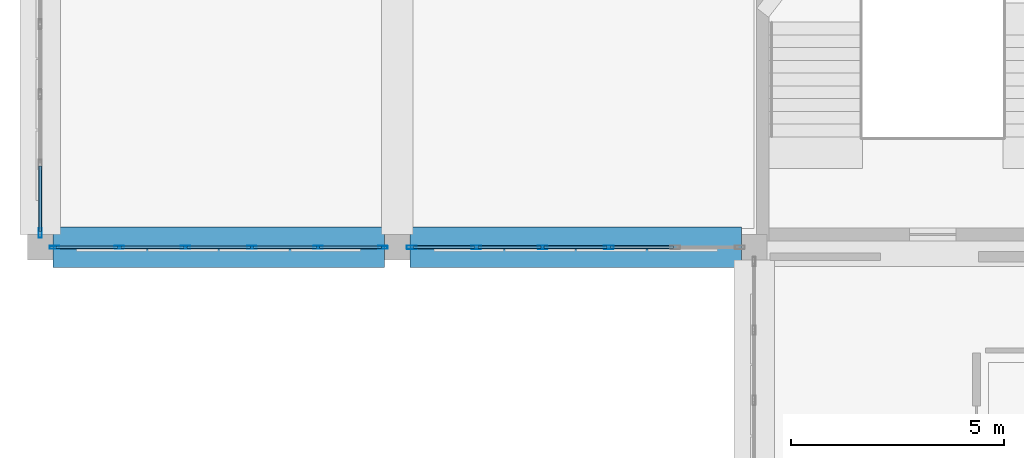
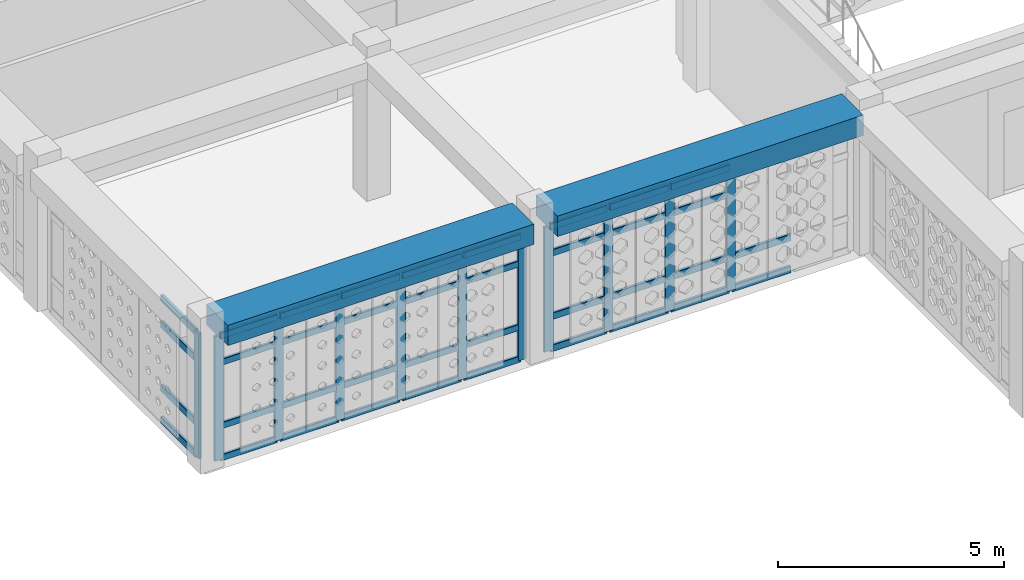
# One storey, part 2 of 48: 49 members, 2 beams, 3 elements without a shape of their own.
"""IFC4 building model written with IfcOpenShell, lengths in metres."""

from ifc_helpers import new_model, si_unit, derived_unit, direction, frame, origin, origin_2d, place, context, subcontext, project, spatial, rectangle, hollow_rectangle, extrude, material, material_profile, profile_set, type_object, element, aggregate, save


model = new_model("IFC4")

# Units and contexts
model_context = context("Model", 3, precision=1e-05, world=origin(), true_north=direction((0.0, 1.0)))
body_context = subcontext(model_context, "Body", "Model", "MODEL_VIEW")
ifc_project = project(units=[si_unit("LENGTHUNIT", "METRE"), si_unit("AREAUNIT", "SQUARE_METRE"), si_unit("VOLUMEUNIT", "CUBIC_METRE"), si_unit("PLANEANGLEUNIT", "RADIAN"), si_unit("MASSUNIT", "GRAM", prefix="KILO"), derived_unit("THERMALTRANSMITTANCEUNIT", [(si_unit("POWERUNIT", "WATT"), 1), (si_unit("LENGTHUNIT", "METRE"), -2), (si_unit("THERMODYNAMICTEMPERATUREUNIT", "KELVIN"), -1)])], contexts=[model_context])

# Site, building, storey
site_placement = place(None, origin())
site = spatial("IfcSite", under=ifc_project, at=site_placement, CompositionType="ELEMENT")
building_placement = place(site_placement, origin())
building = spatial("IfcBuilding", under=site, at=building_placement, Name="Veybourne Emporium", CompositionType="ELEMENT")
storey_placement = place(building_placement, frame((0.0, 0.0, 27.89990234375)))
storey = spatial("IfcBuildingStorey", under=building, at=storey_placement, Name="L06", CompositionType="ELEMENT", Elevation=27.89990234375)

# Curtain wall, members
ifc_material_1 = material(Name="Patinated Architectural Bronze", Category="bronze")
curtain_wall_type_1 = type_object("IfcCurtainWallType", Name="CWSystem_CWS-09", PredefinedType="NOTDEFINED", material=ifc_material_1)
curtain_wall_1_placement = place(storey_placement, origin())
curtain_wall_1 = element("IfcCurtainWall", 1, at=curtain_wall_1_placement, inside=storey, type_object=curtain_wall_type_1, Name="L06 bronze glazed curtain wall CWS-09 (001)", PredefinedType="NOTDEFINED")
ifc_material_profile_1 = material_profile(ifc_material_1, hollow_rectangle(XDim=0.072021484375, YDim=0.22509765625, WallThickness=0.0048828125, InnerFilletRadius=0.007568359375, OuterFilletRadius=0.012451171875, at=origin_2d()), Name="CWM 72x225x5")
ifc_profile_set_1 = profile_set([ifc_material_profile_1], Name="Patinated Architectural Bronze")
member_type_1 = type_object("IfcMemberType", Name="CWMullion_CW-M1", PredefinedType="MULLION", material=ifc_profile_set_1)
member_1_placement = place(storey_placement, frame((8.06396484375, 14.39990234375, 0.0), z_axis=(0.0, 0.0, 1.0), x_axis=(0.0, -1.0, 0.0)))
member_1 = element("IfcMember", 2, at=member_1_placement, type_object=member_type_1, Name="CWS-09 mullion 1", PredefinedType="MULLION", context=body_context, shape_type="SweptSolid", body=[
    extrude(hollow_rectangle(XDim=0.072021484375, YDim=0.22509765625, WallThickness=0.0048828125, InnerFilletRadius=0.007568359375, OuterFilletRadius=0.012451171875, at=origin_2d()), origin(), (0.0, 0.0, 1.0), 3.360107421875),
])
member_2_placement = place(storey_placement, frame((6.5400390625, 14.39990234375, 0.0), z_axis=(0.0, 0.0, 1.0), x_axis=(0.0, -1.0, 0.0)))
member_2 = element("IfcMember", 3, at=member_2_placement, type_object=member_type_1, Name="CWS-09 mullion 2", PredefinedType="MULLION", context=body_context, shape_type="SweptSolid", body=[
    extrude(hollow_rectangle(XDim=0.072021484375, YDim=0.22509765625, WallThickness=0.0048828125, InnerFilletRadius=0.007568359375, OuterFilletRadius=0.012451171875, at=origin_2d()), origin(), (0.0, 0.0, 1.0), 3.360107421875),
])
member_3_placement = place(storey_placement, frame((4.97998046875, 14.39990234375, 0.0), z_axis=(0.0, 0.0, 1.0), x_axis=(0.0, -1.0, 0.0)))
member_3 = element("IfcMember", 4, at=member_3_placement, type_object=member_type_1, Name="CWS-09 mullion 3", PredefinedType="MULLION", context=body_context, shape_type="SweptSolid", body=[
    extrude(hollow_rectangle(XDim=0.072021484375, YDim=0.22509765625, WallThickness=0.0048828125, InnerFilletRadius=0.007568359375, OuterFilletRadius=0.012451171875, at=origin_2d()), origin(), (0.0, 0.0, 1.0), 3.360107421875),
])
member_4_placement = place(storey_placement, frame((3.419921875, 14.39990234375, 0.0), z_axis=(0.0, 0.0, 1.0), x_axis=(0.0, -1.0, 0.0)))
member_4 = element("IfcMember", 5, at=member_4_placement, type_object=member_type_1, Name="CWS-09 mullion 4", PredefinedType="MULLION", context=body_context, shape_type="SweptSolid", body=[
    extrude(hollow_rectangle(XDim=0.072021484375, YDim=0.22509765625, WallThickness=0.0048828125, InnerFilletRadius=0.007568359375, OuterFilletRadius=0.012451171875, at=origin_2d()), origin(), (0.0, 0.0, 1.0), 3.360107421875),
])
member_5_placement = place(storey_placement, frame((1.860107421875, 14.39990234375, 0.0), z_axis=(0.0, 0.0, 1.0), x_axis=(0.0, -1.0, 0.0)))
member_5 = element("IfcMember", 6, at=member_5_placement, type_object=member_type_1, Name="CWS-09 mullion 5", PredefinedType="MULLION", context=body_context, shape_type="SweptSolid", body=[
    extrude(hollow_rectangle(XDim=0.072021484375, YDim=0.22509765625, WallThickness=0.0048828125, InnerFilletRadius=0.007568359375, OuterFilletRadius=0.012451171875, at=origin_2d()), origin(), (0.0, 0.0, 1.0), 3.360107421875),
])
member_6_placement = place(storey_placement, frame((0.3359375, 14.39990234375, 0.0), z_axis=(0.0, 0.0, 1.0), x_axis=(0.0, -1.0, 0.0)))
member_6 = element("IfcMember", 7, at=member_6_placement, type_object=member_type_1, Name="CWS-09 mullion 6", PredefinedType="MULLION", context=body_context, shape_type="SweptSolid", body=[
    extrude(hollow_rectangle(XDim=0.072021484375, YDim=0.22509765625, WallThickness=0.0048828125, InnerFilletRadius=0.007568359375, OuterFilletRadius=0.012451171875, at=origin_2d()), origin(), (0.0, 0.0, 1.0), 3.360107421875),
])

# Curtain wall, member
curtain_wall_type_2 = type_object("IfcCurtainWallType", Name="CWSystem_CWS-10", PredefinedType="NOTDEFINED", material=ifc_material_1)
curtain_wall_2_placement = place(storey_placement, origin())
curtain_wall_2 = element("IfcCurtainWall", 8, at=curtain_wall_2_placement, inside=storey, type_object=curtain_wall_type_2, Name="L06 bronze glazed curtain wall CWS-10 (002)", PredefinedType="NOTDEFINED")
ifc_material_profile_2 = material_profile(ifc_material_1, hollow_rectangle(XDim=0.074951171875, YDim=0.22998046875, WallThickness=0.0048828125, InnerFilletRadius=0.007568359375, OuterFilletRadius=0.012451171875, at=origin_2d()), Name="CWM 75x230x5")
ifc_profile_set_2 = profile_set([ifc_material_profile_2], Name="Patinated Architectural Bronze")
member_type_2 = type_object("IfcMemberType", Name="CWMullion_CW-M2", PredefinedType="MULLION", material=ifc_profile_set_2)
member_7_placement = place(storey_placement, frame((0.0, 14.737548828125, 0.0), z_axis=(0.0, 0.0, 1.0), x_axis=(-1.0, 0.0, 0.0)))
member_7 = element("IfcMember", 9, at=member_7_placement, type_object=member_type_2, Name="CWS-10 mullion 1", PredefinedType="MULLION", context=body_context, shape_type="SweptSolid", body=[
    extrude(hollow_rectangle(XDim=0.074951171875, YDim=0.22998046875, WallThickness=0.0048828125, InnerFilletRadius=0.007568359375, OuterFilletRadius=0.012451171875, at=origin_2d()), origin(), (0.0, 0.0, 1.0), 3.360107421875),
])

# Curtain wall, members
curtain_wall_type_3 = type_object("IfcCurtainWallType", Name="CWSystem_CWS-15", PredefinedType="NOTDEFINED", material=ifc_material_1)
curtain_wall_3_placement = place(storey_placement, origin())
curtain_wall_3 = element("IfcCurtainWall", 10, at=curtain_wall_3_placement, inside=storey, type_object=curtain_wall_type_3, Name="L06 bronze glazed curtain wall CWS-15 (008)", PredefinedType="NOTDEFINED")
ifc_material_profile_3 = material_profile(ifc_material_1, hollow_rectangle(XDim=0.077880859375, YDim=0.235107421875, WallThickness=0.0048828125, InnerFilletRadius=0.007568359375, OuterFilletRadius=0.012451171875, at=origin_2d()), Name="CWM 78x235x5")
ifc_profile_set_3 = profile_set([ifc_material_profile_3], Name="Patinated Architectural Bronze")
member_type_3 = type_object("IfcMemberType", Name="CWMullion_CW-M3", PredefinedType="MULLION", material=ifc_profile_set_3)
member_8_placement = place(storey_placement, frame((13.3798828125, 14.39990234375, 0.0), z_axis=(0.0, 0.0, 1.0), x_axis=(0.0, -1.0, 0.0)))
member_8 = element("IfcMember", 11, at=member_8_placement, type_object=member_type_3, Name="CWS-15 mullion 3", PredefinedType="MULLION", context=body_context, shape_type="SweptSolid", body=[
    extrude(hollow_rectangle(XDim=0.077880859375, YDim=0.235107421875, WallThickness=0.0048828125, InnerFilletRadius=0.007568359375, OuterFilletRadius=0.012451171875, at=origin_2d()), origin(), (0.0, 0.0, 1.0), 3.360107421875),
])
member_9_placement = place(storey_placement, frame((11.820068359375, 14.39990234375, 0.0), z_axis=(0.0, 0.0, 1.0), x_axis=(0.0, -1.0, 0.0)))
member_9 = element("IfcMember", 12, at=member_9_placement, type_object=member_type_3, Name="CWS-15 mullion 4", PredefinedType="MULLION", context=body_context, shape_type="SweptSolid", body=[
    extrude(hollow_rectangle(XDim=0.077880859375, YDim=0.235107421875, WallThickness=0.0048828125, InnerFilletRadius=0.007568359375, OuterFilletRadius=0.012451171875, at=origin_2d()), origin(), (0.0, 0.0, 1.0), 3.360107421875),
])
member_10_placement = place(storey_placement, frame((10.260009765625, 14.39990234375, 0.0), z_axis=(0.0, 0.0, 1.0), x_axis=(0.0, -1.0, 0.0)))
member_10 = element("IfcMember", 13, at=member_10_placement, type_object=member_type_3, Name="CWS-15 mullion 5", PredefinedType="MULLION", context=body_context, shape_type="SweptSolid", body=[
    extrude(hollow_rectangle(XDim=0.077880859375, YDim=0.235107421875, WallThickness=0.0048828125, InnerFilletRadius=0.007568359375, OuterFilletRadius=0.012451171875, at=origin_2d()), origin(), (0.0, 0.0, 1.0), 3.360107421875),
])
member_11_placement = place(storey_placement, frame((8.739013671875, 14.39990234375, 0.0), z_axis=(0.0, 0.0, 1.0), x_axis=(0.0, -1.0, 0.0)))
member_11 = element("IfcMember", 14, at=member_11_placement, type_object=member_type_3, Name="CWS-15 mullion 6", PredefinedType="MULLION", context=body_context, shape_type="SweptSolid", body=[
    extrude(hollow_rectangle(XDim=0.077880859375, YDim=0.235107421875, WallThickness=0.0048828125, InnerFilletRadius=0.007568359375, OuterFilletRadius=0.012451171875, at=origin_2d()), origin(), (0.0, 0.0, 1.0), 3.360107421875),
])

# Member
ifc_material_profile_4 = material_profile(ifc_material_1, hollow_rectangle(XDim=0.072021484375, YDim=0.175048828125, WallThickness=0.0048828125, InnerFilletRadius=0.007568359375, OuterFilletRadius=0.012451171875, at=origin_2d()), Name="CWT 72x175x5")
ifc_profile_set_4 = profile_set([ifc_material_profile_4], Name="Patinated Architectural Bronze")
member_type_4 = type_object("IfcMemberType", Name="CWTransom_CW-T1", PredefinedType="NOTDEFINED", material=ifc_profile_set_4)
member_12_placement = place(storey_placement, frame((8.028076171875, 14.39990234375, 0.0361328125), z_axis=(-1.0, 0.0, 0.0), x_axis=(0.0, -1.0, 0.0)))
member_12 = element("IfcMember", 15, at=member_12_placement, type_object=member_type_4, Name="CWS-09 transom 1.1", ObjectType="TRANSOM", PredefinedType="USERDEFINED", context=body_context, shape_type="SweptSolid", body=[
    extrude(hollow_rectangle(XDim=0.072021484375, YDim=0.175048828125, WallThickness=0.0048828125, InnerFilletRadius=0.007568359375, OuterFilletRadius=0.012451171875, at=origin_2d()), origin(), (0.0, 0.0, 1.0), 1.4521484375),
])

member_13_placement = place(storey_placement, frame((8.028076171875, 14.39990234375, 0.900146484375), z_axis=(-1.0, 0.0, 0.0), x_axis=(0.0, -1.0, 0.0)))
member_13 = element("IfcMember", 16, at=member_13_placement, type_object=member_type_4, Name="CWS-09 transom 1.2", ObjectType="TRANSOM", PredefinedType="USERDEFINED", context=body_context, shape_type="SweptSolid", body=[
    extrude(hollow_rectangle(XDim=0.072021484375, YDim=0.175048828125, WallThickness=0.0048828125, InnerFilletRadius=0.007568359375, OuterFilletRadius=0.012451171875, at=origin_2d()), origin(), (0.0, 0.0, 1.0), 1.4521484375),
])

member_14_placement = place(storey_placement, frame((8.028076171875, 14.39990234375, 2.610107421875), z_axis=(-1.0, 0.0, 0.0), x_axis=(0.0, -1.0, 0.0)))
member_14 = element("IfcMember", 17, at=member_14_placement, type_object=member_type_4, Name="CWS-09 transom 1.3", ObjectType="TRANSOM", PredefinedType="USERDEFINED", context=body_context, shape_type="SweptSolid", body=[
    extrude(hollow_rectangle(XDim=0.072021484375, YDim=0.175048828125, WallThickness=0.0048828125, InnerFilletRadius=0.007568359375, OuterFilletRadius=0.012451171875, at=origin_2d()), origin(), (0.0, 0.0, 1.0), 1.4521484375),
])

member_15_placement = place(storey_placement, frame((8.028076171875, 14.39990234375, 3.32421875), z_axis=(-1.0, 0.0, 0.0), x_axis=(0.0, -1.0, 0.0)))
member_15 = element("IfcMember", 18, at=member_15_placement, type_object=member_type_4, Name="CWS-09 transom 1.4", ObjectType="TRANSOM", PredefinedType="USERDEFINED", context=body_context, shape_type="SweptSolid", body=[
    extrude(hollow_rectangle(XDim=0.072021484375, YDim=0.175048828125, WallThickness=0.0048828125, InnerFilletRadius=0.007568359375, OuterFilletRadius=0.012451171875, at=origin_2d()), origin(), (0.0, 0.0, 1.0), 1.4521484375),
])

member_16_placement = place(storey_placement, frame((6.50390625, 14.39990234375, 0.0361328125), z_axis=(-1.0, 0.0, 0.0), x_axis=(0.0, -1.0, 0.0)))
member_16 = element("IfcMember", 19, at=member_16_placement, type_object=member_type_4, Name="CWS-09 transom 2.1", ObjectType="TRANSOM", PredefinedType="USERDEFINED", context=body_context, shape_type="SweptSolid", body=[
    extrude(hollow_rectangle(XDim=0.072021484375, YDim=0.175048828125, WallThickness=0.0048828125, InnerFilletRadius=0.007568359375, OuterFilletRadius=0.012451171875, at=origin_2d()), origin(), (0.0, 0.0, 1.0), 1.48779296875),
])

member_17_placement = place(storey_placement, frame((6.50390625, 14.39990234375, 0.900146484375), z_axis=(-1.0, 0.0, 0.0), x_axis=(0.0, -1.0, 0.0)))
member_17 = element("IfcMember", 20, at=member_17_placement, type_object=member_type_4, Name="CWS-09 transom 2.2", ObjectType="TRANSOM", PredefinedType="USERDEFINED", context=body_context, shape_type="SweptSolid", body=[
    extrude(hollow_rectangle(XDim=0.072021484375, YDim=0.175048828125, WallThickness=0.0048828125, InnerFilletRadius=0.007568359375, OuterFilletRadius=0.012451171875, at=origin_2d()), origin(), (0.0, 0.0, 1.0), 1.48779296875),
])

member_18_placement = place(storey_placement, frame((6.50390625, 14.39990234375, 2.610107421875), z_axis=(-1.0, 0.0, 0.0), x_axis=(0.0, -1.0, 0.0)))
member_18 = element("IfcMember", 21, at=member_18_placement, type_object=member_type_4, Name="CWS-09 transom 2.3", ObjectType="TRANSOM", PredefinedType="USERDEFINED", context=body_context, shape_type="SweptSolid", body=[
    extrude(hollow_rectangle(XDim=0.072021484375, YDim=0.175048828125, WallThickness=0.0048828125, InnerFilletRadius=0.007568359375, OuterFilletRadius=0.012451171875, at=origin_2d()), origin(), (0.0, 0.0, 1.0), 1.48779296875),
])

member_19_placement = place(storey_placement, frame((6.50390625, 14.39990234375, 3.32421875), z_axis=(-1.0, 0.0, 0.0), x_axis=(0.0, -1.0, 0.0)))
member_19 = element("IfcMember", 22, at=member_19_placement, type_object=member_type_4, Name="CWS-09 transom 2.4", ObjectType="TRANSOM", PredefinedType="USERDEFINED", context=body_context, shape_type="SweptSolid", body=[
    extrude(hollow_rectangle(XDim=0.072021484375, YDim=0.175048828125, WallThickness=0.0048828125, InnerFilletRadius=0.007568359375, OuterFilletRadius=0.012451171875, at=origin_2d()), origin(), (0.0, 0.0, 1.0), 1.48779296875),
])

member_20_placement = place(storey_placement, frame((4.944091796875, 14.39990234375, 0.0361328125), z_axis=(-1.0, 0.0, 0.0), x_axis=(0.0, -1.0, 0.0)))
member_20 = element("IfcMember", 23, at=member_20_placement, type_object=member_type_4, Name="CWS-09 transom 3.1", ObjectType="TRANSOM", PredefinedType="USERDEFINED", context=body_context, shape_type="SweptSolid", body=[
    extrude(hollow_rectangle(XDim=0.072021484375, YDim=0.175048828125, WallThickness=0.0048828125, InnerFilletRadius=0.007568359375, OuterFilletRadius=0.012451171875, at=origin_2d()), origin(), (0.0, 0.0, 1.0), 1.488037109375),
])

member_21_placement = place(storey_placement, frame((4.944091796875, 14.39990234375, 0.900146484375), z_axis=(-1.0, 0.0, 0.0), x_axis=(0.0, -1.0, 0.0)))
member_21 = element("IfcMember", 24, at=member_21_placement, type_object=member_type_4, Name="CWS-09 transom 3.2", ObjectType="TRANSOM", PredefinedType="USERDEFINED", context=body_context, shape_type="SweptSolid", body=[
    extrude(hollow_rectangle(XDim=0.072021484375, YDim=0.175048828125, WallThickness=0.0048828125, InnerFilletRadius=0.007568359375, OuterFilletRadius=0.012451171875, at=origin_2d()), origin(), (0.0, 0.0, 1.0), 1.488037109375),
])

member_22_placement = place(storey_placement, frame((4.944091796875, 14.39990234375, 2.610107421875), z_axis=(-1.0, 0.0, 0.0), x_axis=(0.0, -1.0, 0.0)))
member_22 = element("IfcMember", 25, at=member_22_placement, type_object=member_type_4, Name="CWS-09 transom 3.3", ObjectType="TRANSOM", PredefinedType="USERDEFINED", context=body_context, shape_type="SweptSolid", body=[
    extrude(hollow_rectangle(XDim=0.072021484375, YDim=0.175048828125, WallThickness=0.0048828125, InnerFilletRadius=0.007568359375, OuterFilletRadius=0.012451171875, at=origin_2d()), origin(), (0.0, 0.0, 1.0), 1.488037109375),
])

member_23_placement = place(storey_placement, frame((4.944091796875, 14.39990234375, 3.32421875), z_axis=(-1.0, 0.0, 0.0), x_axis=(0.0, -1.0, 0.0)))
member_23 = element("IfcMember", 26, at=member_23_placement, type_object=member_type_4, Name="CWS-09 transom 3.4", ObjectType="TRANSOM", PredefinedType="USERDEFINED", context=body_context, shape_type="SweptSolid", body=[
    extrude(hollow_rectangle(XDim=0.072021484375, YDim=0.175048828125, WallThickness=0.0048828125, InnerFilletRadius=0.007568359375, OuterFilletRadius=0.012451171875, at=origin_2d()), origin(), (0.0, 0.0, 1.0), 1.488037109375),
])

member_24_placement = place(storey_placement, frame((3.384033203125, 14.39990234375, 0.0361328125), z_axis=(-1.0, 0.0, 0.0), x_axis=(0.0, -1.0, 0.0)))
member_24 = element("IfcMember", 27, at=member_24_placement, type_object=member_type_4, Name="CWS-09 transom 4.1", ObjectType="TRANSOM", PredefinedType="USERDEFINED", context=body_context, shape_type="SweptSolid", body=[
    extrude(hollow_rectangle(XDim=0.072021484375, YDim=0.175048828125, WallThickness=0.0048828125, InnerFilletRadius=0.007568359375, OuterFilletRadius=0.012451171875, at=origin_2d()), origin(), (0.0, 0.0, 1.0), 1.488037109375),
])

member_25_placement = place(storey_placement, frame((3.384033203125, 14.39990234375, 0.900146484375), z_axis=(-1.0, 0.0, 0.0), x_axis=(0.0, -1.0, 0.0)))
member_25 = element("IfcMember", 28, at=member_25_placement, type_object=member_type_4, Name="CWS-09 transom 4.2", ObjectType="TRANSOM", PredefinedType="USERDEFINED", context=body_context, shape_type="SweptSolid", body=[
    extrude(hollow_rectangle(XDim=0.072021484375, YDim=0.175048828125, WallThickness=0.0048828125, InnerFilletRadius=0.007568359375, OuterFilletRadius=0.012451171875, at=origin_2d()), origin(), (0.0, 0.0, 1.0), 1.488037109375),
])

member_26_placement = place(storey_placement, frame((3.384033203125, 14.39990234375, 2.610107421875), z_axis=(-1.0, 0.0, 0.0), x_axis=(0.0, -1.0, 0.0)))
member_26 = element("IfcMember", 29, at=member_26_placement, type_object=member_type_4, Name="CWS-09 transom 4.3", ObjectType="TRANSOM", PredefinedType="USERDEFINED", context=body_context, shape_type="SweptSolid", body=[
    extrude(hollow_rectangle(XDim=0.072021484375, YDim=0.175048828125, WallThickness=0.0048828125, InnerFilletRadius=0.007568359375, OuterFilletRadius=0.012451171875, at=origin_2d()), origin(), (0.0, 0.0, 1.0), 1.488037109375),
])

member_27_placement = place(storey_placement, frame((3.384033203125, 14.39990234375, 3.32421875), z_axis=(-1.0, 0.0, 0.0), x_axis=(0.0, -1.0, 0.0)))
member_27 = element("IfcMember", 30, at=member_27_placement, type_object=member_type_4, Name="CWS-09 transom 4.4", ObjectType="TRANSOM", PredefinedType="USERDEFINED", context=body_context, shape_type="SweptSolid", body=[
    extrude(hollow_rectangle(XDim=0.072021484375, YDim=0.175048828125, WallThickness=0.0048828125, InnerFilletRadius=0.007568359375, OuterFilletRadius=0.012451171875, at=origin_2d()), origin(), (0.0, 0.0, 1.0), 1.488037109375),
])

member_28_placement = place(storey_placement, frame((1.823974609375, 14.39990234375, 0.0361328125), z_axis=(-1.0, 0.0, 0.0), x_axis=(0.0, -1.0, 0.0)))
member_28 = element("IfcMember", 31, at=member_28_placement, type_object=member_type_4, Name="CWS-09 transom 5.1", ObjectType="TRANSOM", PredefinedType="USERDEFINED", context=body_context, shape_type="SweptSolid", body=[
    extrude(hollow_rectangle(XDim=0.072021484375, YDim=0.175048828125, WallThickness=0.0048828125, InnerFilletRadius=0.007568359375, OuterFilletRadius=0.012451171875, at=origin_2d()), origin(), (0.0, 0.0, 1.0), 1.451904296875),
])

member_29_placement = place(storey_placement, frame((1.823974609375, 14.39990234375, 0.900146484375), z_axis=(-1.0, 0.0, 0.0), x_axis=(0.0, -1.0, 0.0)))
member_29 = element("IfcMember", 32, at=member_29_placement, type_object=member_type_4, Name="CWS-09 transom 5.2", ObjectType="TRANSOM", PredefinedType="USERDEFINED", context=body_context, shape_type="SweptSolid", body=[
    extrude(hollow_rectangle(XDim=0.072021484375, YDim=0.175048828125, WallThickness=0.0048828125, InnerFilletRadius=0.007568359375, OuterFilletRadius=0.012451171875, at=origin_2d()), origin(), (0.0, 0.0, 1.0), 1.451904296875),
])

member_30_placement = place(storey_placement, frame((1.823974609375, 14.39990234375, 2.610107421875), z_axis=(-1.0, 0.0, 0.0), x_axis=(0.0, -1.0, 0.0)))
member_30 = element("IfcMember", 33, at=member_30_placement, type_object=member_type_4, Name="CWS-09 transom 5.3", ObjectType="TRANSOM", PredefinedType="USERDEFINED", context=body_context, shape_type="SweptSolid", body=[
    extrude(hollow_rectangle(XDim=0.072021484375, YDim=0.175048828125, WallThickness=0.0048828125, InnerFilletRadius=0.007568359375, OuterFilletRadius=0.012451171875, at=origin_2d()), origin(), (0.0, 0.0, 1.0), 1.451904296875),
])

member_31_placement = place(storey_placement, frame((1.823974609375, 14.39990234375, 3.32421875), z_axis=(-1.0, 0.0, 0.0), x_axis=(0.0, -1.0, 0.0)))
member_31 = element("IfcMember", 34, at=member_31_placement, type_object=member_type_4, Name="CWS-09 transom 5.4", ObjectType="TRANSOM", PredefinedType="USERDEFINED", context=body_context, shape_type="SweptSolid", body=[
    extrude(hollow_rectangle(XDim=0.072021484375, YDim=0.175048828125, WallThickness=0.0048828125, InnerFilletRadius=0.007568359375, OuterFilletRadius=0.012451171875, at=origin_2d()), origin(), (0.0, 0.0, 1.0), 1.451904296875),
])

aggregate(curtain_wall_1, [member_1, member_2, member_3, member_4, member_5, member_6, member_12, member_13, member_14, member_15, member_16, member_17, member_18, member_19, member_20, member_21, member_22, member_23, member_24, member_25, member_26, member_27, member_28, member_29, member_30, member_31])

ifc_material_profile_5 = material_profile(ifc_material_1, hollow_rectangle(XDim=0.074951171875, YDim=0.179931640625, WallThickness=0.0048828125, InnerFilletRadius=0.007568359375, OuterFilletRadius=0.012451171875, at=origin_2d()), Name="CWT 75x180x5")
ifc_profile_set_5 = profile_set([ifc_material_profile_5], Name="Patinated Architectural Bronze")
member_type_5 = type_object("IfcMemberType", Name="CWTransom_CW-T2", PredefinedType="NOTDEFINED", material=ifc_profile_set_5)
member_32_placement = place(storey_placement, frame((0.0, 14.77490234375, 0.03759765625), z_axis=(0.0, 1.0, 0.0), x_axis=(-1.0, 0.0, 0.0)))
member_32 = element("IfcMember", 35, at=member_32_placement, type_object=member_type_5, Name="CWS-10 transom 1.1", ObjectType="TRANSOM", PredefinedType="USERDEFINED", context=body_context, shape_type="SweptSolid", body=[
    extrude(hollow_rectangle(XDim=0.074951171875, YDim=0.179931640625, WallThickness=0.0048828125, InnerFilletRadius=0.007568359375, OuterFilletRadius=0.012451171875, at=origin_2d()), origin(), (0.0, 0.0, 1.0), 1.53759765625),
])

member_33_placement = place(storey_placement, frame((0.0, 14.77490234375, 0.900146484375), z_axis=(0.0, 1.0, 0.0), x_axis=(-1.0, 0.0, 0.0)))
member_33 = element("IfcMember", 36, at=member_33_placement, type_object=member_type_5, Name="CWS-10 transom 1.2", ObjectType="TRANSOM", PredefinedType="USERDEFINED", context=body_context, shape_type="SweptSolid", body=[
    extrude(hollow_rectangle(XDim=0.074951171875, YDim=0.179931640625, WallThickness=0.0048828125, InnerFilletRadius=0.007568359375, OuterFilletRadius=0.012451171875, at=origin_2d()), origin(), (0.0, 0.0, 1.0), 1.53759765625),
])

member_34_placement = place(storey_placement, frame((0.0, 14.77490234375, 2.610107421875), z_axis=(0.0, 1.0, 0.0), x_axis=(-1.0, 0.0, 0.0)))
member_34 = element("IfcMember", 37, at=member_34_placement, type_object=member_type_5, Name="CWS-10 transom 1.3", ObjectType="TRANSOM", PredefinedType="USERDEFINED", context=body_context, shape_type="SweptSolid", body=[
    extrude(hollow_rectangle(XDim=0.074951171875, YDim=0.179931640625, WallThickness=0.0048828125, InnerFilletRadius=0.007568359375, OuterFilletRadius=0.012451171875, at=origin_2d()), origin(), (0.0, 0.0, 1.0), 1.53759765625),
])

member_35_placement = place(storey_placement, frame((0.0, 14.77490234375, 3.322509765625), z_axis=(0.0, 1.0, 0.0), x_axis=(-1.0, 0.0, 0.0)))
member_35 = element("IfcMember", 38, at=member_35_placement, type_object=member_type_5, Name="CWS-10 transom 1.4", ObjectType="TRANSOM", PredefinedType="USERDEFINED", context=body_context, shape_type="SweptSolid", body=[
    extrude(hollow_rectangle(XDim=0.074951171875, YDim=0.179931640625, WallThickness=0.0048828125, InnerFilletRadius=0.007568359375, OuterFilletRadius=0.012451171875, at=origin_2d()), origin(), (0.0, 0.0, 1.0), 1.53759765625),
])

aggregate(curtain_wall_2, [member_7, member_32, member_33, member_34, member_35])

ifc_material_profile_6 = material_profile(ifc_material_1, hollow_rectangle(XDim=0.077880859375, YDim=0.18505859375, WallThickness=0.0048828125, InnerFilletRadius=0.007568359375, OuterFilletRadius=0.012451171875, at=origin_2d()), Name="CWT 78x185x5")
ifc_profile_set_6 = profile_set([ifc_material_profile_6], Name="Patinated Architectural Bronze")
member_type_6 = type_object("IfcMemberType", Name="CWTransom_CW-T3", PredefinedType="NOTDEFINED", material=ifc_profile_set_6)
member_36_placement = place(storey_placement, frame((14.90087890625, 14.39990234375, 0.0390625), z_axis=(-1.0, 0.0, 0.0), x_axis=(0.0, -1.0, 0.0)))
member_36 = element("IfcMember", 39, at=member_36_placement, type_object=member_type_6, Name="CWS-15 transom 2.1", ObjectType="TRANSOM", PredefinedType="USERDEFINED", context=body_context, shape_type="SweptSolid", body=[
    extrude(hollow_rectangle(XDim=0.077880859375, YDim=0.18505859375, WallThickness=0.0048828125, InnerFilletRadius=0.007568359375, OuterFilletRadius=0.012451171875, at=origin_2d()), origin(), (0.0, 0.0, 1.0), 1.48193359375),
])

member_37_placement = place(storey_placement, frame((14.90087890625, 14.39990234375, 0.900146484375), z_axis=(-1.0, 0.0, 0.0), x_axis=(0.0, -1.0, 0.0)))
member_37 = element("IfcMember", 40, at=member_37_placement, type_object=member_type_6, Name="CWS-15 transom 2.2", ObjectType="TRANSOM", PredefinedType="USERDEFINED", context=body_context, shape_type="SweptSolid", body=[
    extrude(hollow_rectangle(XDim=0.077880859375, YDim=0.18505859375, WallThickness=0.0048828125, InnerFilletRadius=0.007568359375, OuterFilletRadius=0.012451171875, at=origin_2d()), origin(), (0.0, 0.0, 1.0), 1.48193359375),
])

member_38_placement = place(storey_placement, frame((13.341064453125, 14.39990234375, 0.0390625), z_axis=(-1.0, 0.0, 0.0), x_axis=(0.0, -1.0, 0.0)))
member_38 = element("IfcMember", 41, at=member_38_placement, type_object=member_type_6, Name="CWS-15 transom 3.1", ObjectType="TRANSOM", PredefinedType="USERDEFINED", context=body_context, shape_type="SweptSolid", body=[
    extrude(hollow_rectangle(XDim=0.077880859375, YDim=0.18505859375, WallThickness=0.0048828125, InnerFilletRadius=0.007568359375, OuterFilletRadius=0.012451171875, at=origin_2d()), origin(), (0.0, 0.0, 1.0), 1.482177734375),
])

member_39_placement = place(storey_placement, frame((13.341064453125, 14.39990234375, 0.900146484375), z_axis=(-1.0, 0.0, 0.0), x_axis=(0.0, -1.0, 0.0)))
member_39 = element("IfcMember", 42, at=member_39_placement, type_object=member_type_6, Name="CWS-15 transom 3.2", ObjectType="TRANSOM", PredefinedType="USERDEFINED", context=body_context, shape_type="SweptSolid", body=[
    extrude(hollow_rectangle(XDim=0.077880859375, YDim=0.18505859375, WallThickness=0.0048828125, InnerFilletRadius=0.007568359375, OuterFilletRadius=0.012451171875, at=origin_2d()), origin(), (0.0, 0.0, 1.0), 1.482177734375),
])

member_40_placement = place(storey_placement, frame((13.341064453125, 14.39990234375, 2.610107421875), z_axis=(-1.0, 0.0, 0.0), x_axis=(0.0, -1.0, 0.0)))
member_40 = element("IfcMember", 43, at=member_40_placement, type_object=member_type_6, Name="CWS-15 transom 3.3", ObjectType="TRANSOM", PredefinedType="USERDEFINED", context=body_context, shape_type="SweptSolid", body=[
    extrude(hollow_rectangle(XDim=0.077880859375, YDim=0.18505859375, WallThickness=0.0048828125, InnerFilletRadius=0.007568359375, OuterFilletRadius=0.012451171875, at=origin_2d()), origin(), (0.0, 0.0, 1.0), 1.482177734375),
])

member_41_placement = place(storey_placement, frame((13.341064453125, 14.39990234375, 3.321044921875), z_axis=(-1.0, 0.0, 0.0), x_axis=(0.0, -1.0, 0.0)))
member_41 = element("IfcMember", 44, at=member_41_placement, type_object=member_type_6, Name="CWS-15 transom 3.4", ObjectType="TRANSOM", PredefinedType="USERDEFINED", context=body_context, shape_type="SweptSolid", body=[
    extrude(hollow_rectangle(XDim=0.077880859375, YDim=0.18505859375, WallThickness=0.0048828125, InnerFilletRadius=0.007568359375, OuterFilletRadius=0.012451171875, at=origin_2d()), origin(), (0.0, 0.0, 1.0), 1.482177734375),
])

member_42_placement = place(storey_placement, frame((11.781005859375, 14.39990234375, 0.0390625), z_axis=(-1.0, 0.0, 0.0), x_axis=(0.0, -1.0, 0.0)))
member_42 = element("IfcMember", 45, at=member_42_placement, type_object=member_type_6, Name="CWS-15 transom 4.1", ObjectType="TRANSOM", PredefinedType="USERDEFINED", context=body_context, shape_type="SweptSolid", body=[
    extrude(hollow_rectangle(XDim=0.077880859375, YDim=0.18505859375, WallThickness=0.0048828125, InnerFilletRadius=0.007568359375, OuterFilletRadius=0.012451171875, at=origin_2d()), origin(), (0.0, 0.0, 1.0), 1.48193359375),
])

member_43_placement = place(storey_placement, frame((11.781005859375, 14.39990234375, 0.900146484375), z_axis=(-1.0, 0.0, 0.0), x_axis=(0.0, -1.0, 0.0)))
member_43 = element("IfcMember", 46, at=member_43_placement, type_object=member_type_6, Name="CWS-15 transom 4.2", ObjectType="TRANSOM", PredefinedType="USERDEFINED", context=body_context, shape_type="SweptSolid", body=[
    extrude(hollow_rectangle(XDim=0.077880859375, YDim=0.18505859375, WallThickness=0.0048828125, InnerFilletRadius=0.007568359375, OuterFilletRadius=0.012451171875, at=origin_2d()), origin(), (0.0, 0.0, 1.0), 1.48193359375),
])

member_44_placement = place(storey_placement, frame((11.781005859375, 14.39990234375, 2.610107421875), z_axis=(-1.0, 0.0, 0.0), x_axis=(0.0, -1.0, 0.0)))
member_44 = element("IfcMember", 47, at=member_44_placement, type_object=member_type_6, Name="CWS-15 transom 4.3", ObjectType="TRANSOM", PredefinedType="USERDEFINED", context=body_context, shape_type="SweptSolid", body=[
    extrude(hollow_rectangle(XDim=0.077880859375, YDim=0.18505859375, WallThickness=0.0048828125, InnerFilletRadius=0.007568359375, OuterFilletRadius=0.012451171875, at=origin_2d()), origin(), (0.0, 0.0, 1.0), 1.48193359375),
])

member_45_placement = place(storey_placement, frame((11.781005859375, 14.39990234375, 3.321044921875), z_axis=(-1.0, 0.0, 0.0), x_axis=(0.0, -1.0, 0.0)))
member_45 = element("IfcMember", 48, at=member_45_placement, type_object=member_type_6, Name="CWS-15 transom 4.4", ObjectType="TRANSOM", PredefinedType="USERDEFINED", context=body_context, shape_type="SweptSolid", body=[
    extrude(hollow_rectangle(XDim=0.077880859375, YDim=0.18505859375, WallThickness=0.0048828125, InnerFilletRadius=0.007568359375, OuterFilletRadius=0.012451171875, at=origin_2d()), origin(), (0.0, 0.0, 1.0), 1.48193359375),
])

member_46_placement = place(storey_placement, frame((10.220947265625, 14.39990234375, 0.0390625), z_axis=(-1.0, 0.0, 0.0), x_axis=(0.0, -1.0, 0.0)))
member_46 = element("IfcMember", 49, at=member_46_placement, type_object=member_type_6, Name="CWS-15 transom 5.1", ObjectType="TRANSOM", PredefinedType="USERDEFINED", context=body_context, shape_type="SweptSolid", body=[
    extrude(hollow_rectangle(XDim=0.077880859375, YDim=0.18505859375, WallThickness=0.0048828125, InnerFilletRadius=0.007568359375, OuterFilletRadius=0.012451171875, at=origin_2d()), origin(), (0.0, 0.0, 1.0), 1.44287109375),
])

member_47_placement = place(storey_placement, frame((10.220947265625, 14.39990234375, 0.900146484375), z_axis=(-1.0, 0.0, 0.0), x_axis=(0.0, -1.0, 0.0)))
member_47 = element("IfcMember", 50, at=member_47_placement, type_object=member_type_6, Name="CWS-15 transom 5.2", ObjectType="TRANSOM", PredefinedType="USERDEFINED", context=body_context, shape_type="SweptSolid", body=[
    extrude(hollow_rectangle(XDim=0.077880859375, YDim=0.18505859375, WallThickness=0.0048828125, InnerFilletRadius=0.007568359375, OuterFilletRadius=0.012451171875, at=origin_2d()), origin(), (0.0, 0.0, 1.0), 1.44287109375),
])

member_48_placement = place(storey_placement, frame((10.220947265625, 14.39990234375, 2.610107421875), z_axis=(-1.0, 0.0, 0.0), x_axis=(0.0, -1.0, 0.0)))
member_48 = element("IfcMember", 51, at=member_48_placement, type_object=member_type_6, Name="CWS-15 transom 5.3", ObjectType="TRANSOM", PredefinedType="USERDEFINED", context=body_context, shape_type="SweptSolid", body=[
    extrude(hollow_rectangle(XDim=0.077880859375, YDim=0.18505859375, WallThickness=0.0048828125, InnerFilletRadius=0.007568359375, OuterFilletRadius=0.012451171875, at=origin_2d()), origin(), (0.0, 0.0, 1.0), 1.44287109375),
])

member_49_placement = place(storey_placement, frame((10.220947265625, 14.39990234375, 3.321044921875), z_axis=(-1.0, 0.0, 0.0), x_axis=(0.0, -1.0, 0.0)))
member_49 = element("IfcMember", 52, at=member_49_placement, type_object=member_type_6, Name="CWS-15 transom 5.4", ObjectType="TRANSOM", PredefinedType="USERDEFINED", context=body_context, shape_type="SweptSolid", body=[
    extrude(hollow_rectangle(XDim=0.077880859375, YDim=0.18505859375, WallThickness=0.0048828125, InnerFilletRadius=0.007568359375, OuterFilletRadius=0.012451171875, at=origin_2d()), origin(), (0.0, 0.0, 1.0), 1.44287109375),
])

aggregate(curtain_wall_3, [member_8, member_9, member_10, member_11, member_36, member_37, member_38, member_39, member_40, member_41, member_42, member_43, member_44, member_45, member_46, member_47, member_48, member_49])

# Beams
ifc_material_2 = material(Name="Concrete C32/40", Category="concrete")
ifc_material_profile_7 = material_profile(ifc_material_2, rectangle(XDim=0.949951171875, YDim=0.550048828125, at=origin_2d()), Name="RC 950x550")
ifc_profile_set_7 = profile_set([ifc_material_profile_7], Name="Concrete C32/40")
beam_type = type_object("IfcBeamType", Name="RCBeam_EB-01", PredefinedType="SPANDREL", material=ifc_profile_set_7)
for number, where, z_axis, x_axis, name in (
    (53, (0.300048828125, 14.39990234375, 3.635009765625), (1.0, 0.0, 0.0), (0.0, 1.0, 0.0), "L06 X-grid beam EB-01 (0,2)"),
    (54, (8.699951171875, 14.39990234375, 3.635009765625), (1.0, 0.0, 0.0), (0.0, 1.0, 0.0), "L06 X-grid beam EB-01 (1,2)"),
):
    element("IfcBeam", number, at=place(storey_placement, frame(where, z_axis=z_axis, x_axis=x_axis)), inside=storey, type_object=beam_type, Name=name, PredefinedType="SPANDREL", context=body_context, shape_type="SweptSolid", body=[
        extrude(rectangle(XDim=0.949951171875, YDim=0.550048828125, at=origin_2d()), origin(), (0.0, 0.0, 1.0), 7.800048828125),
    ])

save(model, "model.ifc")
